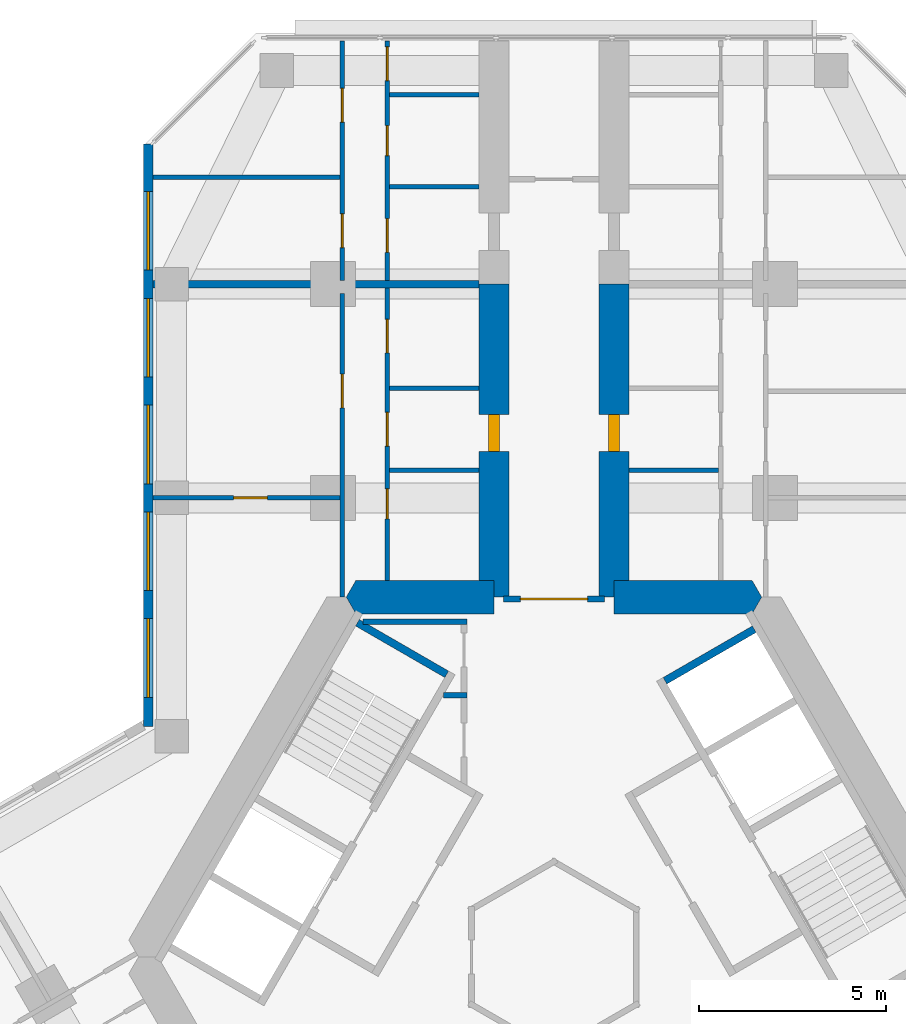
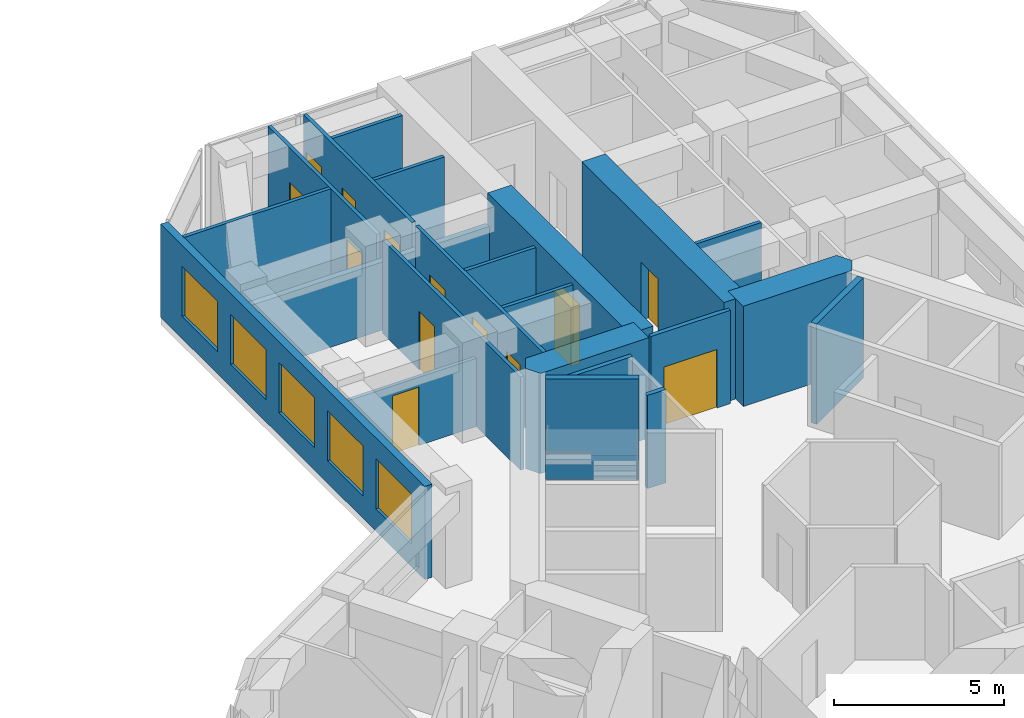
# One storey, part 17 of 20: 22 walls, 13 doors, 5 windows, 18 openings.
"""IFC4 building model written with IfcOpenShell, lengths in metres."""

from ifc_helpers import new_model, si_unit, direction, frame, frame_2d, origin, place, context, subcontext, project, spatial, polyline, rectangle, outline, extrude, material, layer, layer_set, type_object, element, fill, save


model = new_model("IFC4")

# Units and contexts
model_context = context("Model", 3, precision=1e-05, world=origin(), true_north=direction((0.0, 1.0)))
body_context = subcontext(model_context, "Body", "Model", "MODEL_VIEW")
ifc_project = project(units=[si_unit("LENGTHUNIT", "METRE"), si_unit("AREAUNIT", "SQUARE_METRE"), si_unit("VOLUMEUNIT", "CUBIC_METRE"), si_unit("PLANEANGLEUNIT", "RADIAN"), si_unit("MASSUNIT", "GRAM", prefix="KILO")], contexts=[model_context])

# Site, building, storey
site_placement = place(None, origin())
site = spatial("IfcSite", under=ifc_project, at=site_placement, CompositionType="ELEMENT")
building_placement = place(site_placement, origin())
building = spatial("IfcBuilding", under=site, at=building_placement, Name="Kosmar Iwan School Tower", CompositionType="ELEMENT")
storey_placement = place(building_placement, frame((0.0, 0.0, 179.60009765625)))
storey = spatial("IfcBuildingStorey", under=building, at=storey_placement, Name="L45", CompositionType="ELEMENT", Elevation=179.60009765625)

# Walls
ifc_material_1 = material(Name="Gypsum board on steel studs, fire-rated", Category="steel")
ifc_layer_1 = layer(ifc_material_1, 0.14990234375)
ifc_layer_set_1 = layer_set([ifc_layer_1], Name="Core room partition 150")
wall_type_1 = type_object("IfcWallType", Name="Core room partition 150", PredefinedType="PARTITIONING", material=ifc_layer_set_1)
wall_1_placement = place(storey_placement, frame((-2.324951171875, 6.985107421875, 0.0), z_axis=(0.0, 0.0, 1.0), x_axis=(-1.0, 0.0, 0.0)))
element("IfcWall", 1, at=wall_1_placement, inside=storey, type_object=wall_type_1, Name="Core room partition L45-CW2", PredefinedType="PARTITIONING", context=body_context, shape_type="SweptSolid", body=[
    extrude(rectangle(XDim=0.623779296875, YDim=0.14990234375, at=frame_2d((0.31201171875, 0.0))), origin(), (0.0, 0.0, 1.0), 3.349853515625),
])
wall_2_placement = place(storey_placement, frame((-5.089599609375, 8.93994140625, 0.0), z_axis=(0.0, 0.0, 1.0), x_axis=(1.0, 0.0, 0.0)))
element("IfcWall", 2, at=wall_2_placement, inside=storey, type_object=wall_type_1, Name="Core room partition L45-CW3", PredefinedType="PARTITIONING", context=body_context, shape_type="SweptSolid", body=[
    extrude(rectangle(XDim=2.7646484375, YDim=0.14990234375, at=frame_2d((1.38232421875, 0.0))), origin(), (0.0, 0.0, 1.0), 3.349853515625),
])
ifc_material_2 = material(Name="Concrete C50/60", Category="concrete")
ifc_layer_2 = layer(ifc_material_2, 0.89990234375)
ifc_layer_set_2 = layer_set([ifc_layer_2], Name="Core wall 900")
wall_type_2 = type_object("IfcWallType", Name="Core wall 900", PredefinedType="SHEAR", material=ifc_layer_set_2)
wall_3_placement = place(storey_placement, origin())
element("IfcWall", 3, at=wall_3_placement, inside=storey, type_object=wall_type_2, Name="Core wall F090a", PredefinedType="SHEAR", context=body_context, shape_type="SweptSolid", body=[
    extrude(outline(polyline([(1.60009765625, 9.14990234375), (5.28271484375, 9.14990234375), (5.54248046875, 9.60009765625), (5.28271484375, 10.050048828125), (1.60009765625, 10.050048828125), (1.60009765625, 9.14990234375)])), origin(), (0.0, 0.0, 1.0), 3.599853515625),
])
wall_4_placement = place(storey_placement, origin())
element("IfcWall", 4, at=wall_4_placement, inside=storey, type_object=wall_type_2, Name="Core wall F090b", PredefinedType="SHEAR", context=body_context, shape_type="SweptSolid", body=[
    extrude(outline(polyline([(-5.28271484375, 9.14990234375), (-1.60009765625, 9.14990234375), (-1.60009765625, 10.050048828125), (-5.28271484375, 10.050048828125), (-5.54248046875, 9.60009765625), (-5.28271484375, 9.14990234375)])), origin(), (0.0, 0.0, 1.0), 3.599853515625),
])

# Wall, opening, door
ifc_material_3 = material(Name="Concrete C50/60", Category="concrete")
ifc_layer_3 = layer(ifc_material_3, 0.800048828125)
ifc_layer_set_3 = layer_set([ifc_layer_3], Name="Corridor buttress wall 800")
wall_type_3 = type_object("IfcWallType", Name="Corridor buttress wall 800", PredefinedType="SHEAR", material=ifc_layer_set_3)
wall_5_placement = place(storey_placement, frame((-1.60009765625, 9.60009765625, 0.0), z_axis=(0.0, 0.0, 1.0), x_axis=(0.0, 1.0, 0.0)))
wall_5 = element("IfcWall", 5, at=wall_5_placement, inside=storey, type_object=wall_type_3, Name="Corridor wall AL", PredefinedType="SHEAR", context=body_context, shape_type="SweptSolid", body=[
    extrude(rectangle(XDim=8.349853515625, YDim=0.800048828125, at=frame_2d((4.1748046875, 0.0))), origin(), (0.0, 0.0, 1.0), 3.599853515625),
])
opening_1_placement = place(wall_5_placement, frame((3.8798828125, 0.0, 0.0)))
opening_1 = element("IfcOpeningElement", 6, at=opening_1_placement, cuts=wall_5, Name="Opening D1", PredefinedType="OPENING", context=body_context, shape_type="SweptSolid", body=[
    extrude(rectangle(XDim=1.0, YDim=2.10009765625, at=frame_2d((0.5, 1.050048828125))), frame((0.0, 0.412109375, 0.0), z_axis=(0.0, -1.0, 0.0), x_axis=(1.0, 0.0, 0.0)), (0.0, 0.0, 1.0), 0.823974609375),
])
ifc_material_4 = material(Name="Timber fire door in steel frame", Category="steel")
door_type_1 = type_object("IfcDoorType", Name="Flat entrance door 1000x2100", OperationType="SINGLE_SWING_LEFT", PredefinedType="DOOR", material=ifc_material_4)
door_1_placement = place(opening_1_placement, origin())
door_1 = element("IfcDoor", 7, at=door_1_placement, inside=storey, type_object=door_type_1, Name="Flat L45-AL1 entrance door", OperationType="SINGLE_SWING_LEFT", OverallHeight=2.10009765625, OverallWidth=1.0, PredefinedType="DOOR", context=body_context, shape_type="SweptSolid", body=[
    extrude(rectangle(XDim=1.0, YDim=2.10009765625, at=frame_2d((0.5, 1.050048828125))), frame((0.0, 0.14990234375, 0.0), z_axis=(0.0, -1.0, 0.0), x_axis=(1.0, 0.0, 0.0)), (0.0, 0.0, 1.0), 0.300048828125),
])
fill(opening_1, door_1)

wall_6_placement = place(storey_placement, frame((1.60009765625, 9.60009765625, 0.0), z_axis=(0.0, 0.0, 1.0), x_axis=(0.0, 1.0, 0.0)))
wall_6 = element("IfcWall", 8, at=wall_6_placement, inside=storey, type_object=wall_type_3, Name="Corridor wall AR", PredefinedType="SHEAR", context=body_context, shape_type="SweptSolid", body=[
    extrude(rectangle(XDim=8.349853515625, YDim=0.800048828125, at=frame_2d((4.1748046875, 0.0))), origin(), (0.0, 0.0, 1.0), 3.599853515625),
])
opening_2_placement = place(wall_6_placement, frame((3.8798828125, 0.0, 0.0)))
opening_2 = element("IfcOpeningElement", 9, at=opening_2_placement, cuts=wall_6, Name="Opening D1", PredefinedType="OPENING", context=body_context, shape_type="SweptSolid", body=[
    extrude(rectangle(XDim=1.0, YDim=2.10009765625, at=frame_2d((0.5, 1.050048828125))), frame((0.0, 0.412109375, 0.0), z_axis=(0.0, -1.0, 0.0), x_axis=(1.0, 0.0, 0.0)), (0.0, 0.0, 1.0), 0.823974609375),
])
door_2_placement = place(opening_2_placement, origin())
door_2 = element("IfcDoor", 10, at=door_2_placement, inside=storey, type_object=door_type_1, Name="Flat L45-AR1 entrance door", OperationType="SINGLE_SWING_RIGHT", OverallHeight=2.10009765625, OverallWidth=1.0, PredefinedType="DOOR", context=body_context, shape_type="SweptSolid", body=[
    extrude(rectangle(XDim=1.0, YDim=2.10009765625, at=frame_2d((0.5, 1.050048828125))), frame((0.0, 0.14990234375, 0.0), z_axis=(0.0, -1.0, 0.0), x_axis=(1.0, 0.0, 0.0)), (0.0, 0.0, 1.0), 0.300048828125),
])
fill(opening_2, door_2)

ifc_material_5 = material(Name="Steel framed glazed screen", Category="steel")
ifc_layer_4 = layer(ifc_material_5, 0.14990234375)
ifc_layer_set_4 = layer_set([ifc_layer_4], Name="Corridor screen wall 150")
wall_type_4 = type_object("IfcWallType", Name="Corridor screen wall 150", PredefinedType="PARTITIONING", material=ifc_layer_set_4)
wall_7_placement = place(storey_placement, frame((1.35009765625, 9.550048828125, 0.0), z_axis=(0.0, 0.0, 1.0), x_axis=(-1.0, 0.0, 0.0)))
wall_7 = element("IfcWall", 11, at=wall_7_placement, inside=storey, type_object=wall_type_4, Name="Corridor screen A L45", PredefinedType="PARTITIONING", context=body_context, shape_type="SweptSolid", body=[
    extrude(rectangle(XDim=2.7001953125, YDim=0.14990234375, at=frame_2d((1.35009765625, 0.0))), origin(), (0.0, 0.0, 1.0), 3.349853515625),
])
opening_3_placement = place(wall_7_placement, frame((0.449951171875, 0.0, 0.0)))
opening_3 = element("IfcOpeningElement", 12, at=opening_3_placement, cuts=wall_7, Name="Opening D9", PredefinedType="OPENING", context=body_context, shape_type="SweptSolid", body=[
    extrude(rectangle(XDim=1.800048828125, YDim=2.10009765625, at=frame_2d((0.89990234375, 1.050048828125))), frame((0.0, 0.0869140625, 0.0), z_axis=(0.0, -1.0, 0.0), x_axis=(1.0, 0.0, 0.0)), (0.0, 0.0, 1.0), 0.173828125),
])
ifc_material_6 = material(Name="Steel framed glazed smoke door", Category="steel")
door_type_2 = type_object("IfcDoorType", Name="Corridor smoke door pair 1800x2100", OperationType="DOUBLE_DOOR_DOUBLE_SWING", PredefinedType="DOOR", material=ifc_material_6)
door_3_placement = place(opening_3_placement, origin())
door_3 = element("IfcDoor", 13, at=door_3_placement, inside=storey, type_object=door_type_2, Name="Corridor doors A L45", OperationType="DOUBLE_DOOR_DOUBLE_SWING", OverallHeight=2.10009765625, OverallWidth=1.800048828125, PredefinedType="DOOR", context=body_context, shape_type="SweptSolid", body=[
    extrude(rectangle(XDim=1.800048828125, YDim=2.10009765625, at=frame_2d((0.89990234375, 1.050048828125))), frame((0.0, 0.02490234375, 0.0), z_axis=(0.0, -1.0, 0.0), x_axis=(1.0, 0.0, 0.0)), (0.0, 0.0, 1.0), 0.050048828125),
])
fill(opening_3, door_3)

# Wall, openings, doors
ifc_material_7 = material(Name="Gypsum board on steel studs", Category="steel")
ifc_layer_5 = layer(ifc_material_7, 0.1201171875)
ifc_layer_set_5 = layer_set([ifc_layer_5], Name="Dwelling partition 120")
wall_type_5 = type_object("IfcWallType", Name="Dwelling partition 120", PredefinedType="PARTITIONING", material=ifc_layer_set_5)
wall_8_placement = place(storey_placement, frame((-4.449951171875, 10.050048828125, 0.0), z_axis=(0.0, 0.0, 1.0), x_axis=(0.0, 1.0, 0.0)))
wall_8 = element("IfcWall", 14, at=wall_8_placement, inside=storey, type_object=wall_type_5, Name="Partition L45-AL1-W1", PredefinedType="PARTITIONING", context=body_context, shape_type="SweptSolid", body=[
    extrude(rectangle(XDim=7.800048828125, YDim=0.1201171875, at=frame_2d((3.89990234375, 0.0))), origin(), (0.0, 0.0, 1.0), 3.349853515625),
])
opening_4_placement = place(wall_8_placement, frame((1.639892578125, 0.0, 0.0)))
opening_4 = element("IfcOpeningElement", 15, at=opening_4_placement, cuts=wall_8, Name="Opening D3", PredefinedType="OPENING", context=body_context, shape_type="SweptSolid", body=[
    extrude(rectangle(XDim=0.800048828125, YDim=2.10009765625, at=frame_2d((0.39990234375, 1.050048828125))), frame((0.0, 0.072021484375, 0.0), z_axis=(0.0, -1.0, 0.0), x_axis=(1.0, 0.0, 0.0)), (0.0, 0.0, 1.0), 0.14404296875),
])
opening_5_placement = place(wall_8_placement, frame((3.580078125, 0.0, 0.0)))
opening_5 = element("IfcOpeningElement", 16, at=opening_5_placement, cuts=wall_8, Name="Opening D2", PredefinedType="OPENING", context=body_context, shape_type="SweptSolid", body=[
    extrude(rectangle(XDim=0.89990234375, YDim=2.10009765625, at=frame_2d((0.449951171875, 1.050048828125))), frame((0.0, 0.072021484375, 0.0), z_axis=(0.0, -1.0, 0.0), x_axis=(1.0, 0.0, 0.0)), (0.0, 0.0, 1.0), 0.14404296875),
])
opening_6_placement = place(wall_8_placement, frame((6.06494140625, 0.0, 0.0)))
opening_6 = element("IfcOpeningElement", 17, at=opening_6_placement, cuts=wall_8, Name="Opening D2", PredefinedType="OPENING", context=body_context, shape_type="SweptSolid", body=[
    extrude(rectangle(XDim=0.89990234375, YDim=2.10009765625, at=frame_2d((0.449951171875, 1.050048828125))), frame((0.0, 0.072021484375, 0.0), z_axis=(0.0, -1.0, 0.0), x_axis=(1.0, 0.0, 0.0)), (0.0, 0.0, 1.0), 0.14404296875),
])
ifc_material_8 = material(Name="Timber door in timber frame", Category="wood")
door_type_3 = type_object("IfcDoorType", Name="Internal door 900x2100", OperationType="SINGLE_SWING_LEFT", PredefinedType="DOOR", material=ifc_material_8)
door_4_placement = place(opening_5_placement, origin())
door_4 = element("IfcDoor", 18, at=door_4_placement, inside=storey, type_object=door_type_3, Name="Entrance hall door L45-AL1-S2", OperationType="SINGLE_SWING_RIGHT", OverallHeight=2.10009765625, OverallWidth=0.89990234375, PredefinedType="DOOR", context=body_context, shape_type="SweptSolid", body=[
    extrude(rectangle(XDim=0.89990234375, YDim=2.10009765625, at=frame_2d((0.449951171875, 1.050048828125))), frame((0.0, 0.02490234375, 0.0), z_axis=(0.0, -1.0, 0.0), x_axis=(1.0, 0.0, 0.0)), (0.0, 0.0, 1.0), 0.050048828125),
])
fill(opening_5, door_4)
door_5_placement = place(opening_6_placement, origin())
door_5 = element("IfcDoor", 19, at=door_5_placement, inside=storey, type_object=door_type_3, Name="Pantry door L45-AL1-S3", OperationType="SINGLE_SWING_RIGHT", OverallHeight=2.10009765625, OverallWidth=0.89990234375, PredefinedType="DOOR", context=body_context, shape_type="SweptSolid", body=[
    extrude(rectangle(XDim=0.89990234375, YDim=2.10009765625, at=frame_2d((0.449951171875, 1.050048828125))), frame((0.0, 0.02490234375, 0.0), z_axis=(0.0, -1.0, 0.0), x_axis=(1.0, 0.0, 0.0)), (0.0, 0.0, 1.0), 0.050048828125),
])
fill(opening_6, door_5)
ifc_material_9 = material(Name="Timber door in timber frame", Category="wood")
door_type_4 = type_object("IfcDoorType", Name="Sanitary room door 800x2100", OperationType="SINGLE_SWING_LEFT", PredefinedType="DOOR", material=ifc_material_9)
door_6_placement = place(opening_4_placement, origin())
door_6 = element("IfcDoor", 20, at=door_6_placement, inside=storey, type_object=door_type_4, Name="Bathroom door L45-AL1-S1", OperationType="SINGLE_SWING_LEFT", OverallHeight=2.10009765625, OverallWidth=0.800048828125, PredefinedType="DOOR", context=body_context, shape_type="SweptSolid", body=[
    extrude(rectangle(XDim=0.800048828125, YDim=2.10009765625, at=frame_2d((0.39990234375, 1.050048828125))), frame((0.0, 0.02490234375, 0.0), z_axis=(0.0, -1.0, 0.0), x_axis=(1.0, 0.0, 0.0)), (0.0, 0.0, 1.0), 0.050048828125),
])
fill(opening_4, door_6)

# Wall, opening, door
wall_9_placement = place(storey_placement, frame((-5.64990234375, 9.60009765625, 0.0), z_axis=(0.0, 0.0, 1.0), x_axis=(0.0, 1.0, 0.0)))
wall_9 = element("IfcWall", 21, at=wall_9_placement, inside=storey, type_object=wall_type_5, Name="Partition L45-AL1-W2", PredefinedType="PARTITIONING", context=body_context, shape_type="SweptSolid", body=[
    extrude(rectangle(XDim=8.099853515625, YDim=0.1201171875, at=frame_2d((4.0498046875, 0.0))), origin(), (0.0, 0.0, 1.0), 3.349853515625),
])
opening_7_placement = place(wall_9_placement, frame((5.050048828125, 0.0, 0.0)))
opening_7 = element("IfcOpeningElement", 22, at=opening_7_placement, cuts=wall_9, Name="Opening D2", PredefinedType="OPENING", context=body_context, shape_type="SweptSolid", body=[
    extrude(rectangle(XDim=0.89990234375, YDim=2.10009765625, at=frame_2d((0.449951171875, 1.050048828125))), frame((0.0, 0.072021484375, 0.0), z_axis=(0.0, -1.0, 0.0), x_axis=(1.0, 0.0, 0.0)), (0.0, 0.0, 1.0), 0.14404296875),
])
door_7_placement = place(opening_7_placement, origin())
door_7 = element("IfcDoor", 23, at=door_7_placement, inside=storey, type_object=door_type_3, Name="Studio living room door L45-AL1-F2", OperationType="SINGLE_SWING_RIGHT", OverallHeight=2.10009765625, OverallWidth=0.89990234375, PredefinedType="DOOR", context=body_context, shape_type="SweptSolid", body=[
    extrude(rectangle(XDim=0.89990234375, YDim=2.10009765625, at=frame_2d((0.449951171875, 1.050048828125))), frame((0.0, 0.02490234375, 0.0), z_axis=(0.0, -1.0, 0.0), x_axis=(1.0, 0.0, 0.0)), (0.0, 0.0, 1.0), 0.050048828125),
])
fill(opening_7, door_7)

wall_10_placement = place(storey_placement, frame((-5.7099609375, 12.25, 0.0), z_axis=(0.0, 0.0, 1.0), x_axis=(-1.0, 0.0, 0.0)))
wall_10 = element("IfcWall", 24, at=wall_10_placement, inside=storey, type_object=wall_type_5, Name="Partition L45-AL1-X1", PredefinedType="PARTITIONING", context=body_context, shape_type="SweptSolid", body=[
    extrude(rectangle(XDim=4.989990234375, YDim=0.1201171875, at=frame_2d((2.4951171875, 0.0))), origin(), (0.0, 0.0, 1.0), 2.449951171875),
])
opening_8_placement = place(wall_10_placement, frame((1.93994140625, 0.0, 0.0)))
opening_8 = element("IfcOpeningElement", 25, at=opening_8_placement, cuts=wall_10, Name="Opening D2", PredefinedType="OPENING", context=body_context, shape_type="SweptSolid", body=[
    extrude(rectangle(XDim=0.89990234375, YDim=2.10009765625, at=frame_2d((0.449951171875, 1.050048828125))), frame((0.0, 0.072021484375, 0.0), z_axis=(0.0, -1.0, 0.0), x_axis=(1.0, 0.0, 0.0)), (0.0, 0.0, 1.0), 0.14404296875),
])
door_8_placement = place(opening_8_placement, origin())
door_8 = element("IfcDoor", 26, at=door_8_placement, inside=storey, type_object=door_type_3, Name="Kitchen and dining room door L45-AL1-F1", OperationType="SINGLE_SWING_LEFT", OverallHeight=2.10009765625, OverallWidth=0.89990234375, PredefinedType="DOOR", context=body_context, shape_type="SweptSolid", body=[
    extrude(rectangle(XDim=0.89990234375, YDim=2.10009765625, at=frame_2d((0.449951171875, 1.050048828125))), frame((0.0, 0.02490234375, 0.0), z_axis=(0.0, -1.0, 0.0), x_axis=(1.0, 0.0, 0.0)), (0.0, 0.0, 1.0), 0.050048828125),
])
fill(opening_8, door_8)

# Walls
for number, where, z_axis, x_axis, name in (
    (27, (-2.0, 12.97998046875, 0.0), (0.0, 0.0, 1.0), (-1.0, 0.0, 0.0), "Partition L45-AL1-Y1"),
    (28, (-2.0, 15.179931640625, 0.0), (0.0, 0.0, 1.0), (-1.0, 0.0, 0.0), "Partition L45-AL1-Y2"),
):
    element("IfcWall", number, at=place(storey_placement, frame(where, z_axis=z_axis, x_axis=x_axis)), inside=storey, type_object=wall_type_5, Name=name, PredefinedType="PARTITIONING", context=body_context, shape_type="SweptSolid", body=[
        extrude(rectangle(XDim=2.389892578125, YDim=0.1201171875, at=frame_2d((1.19482421875, 0.0))), origin(), (0.0, 0.0, 1.0), 3.349853515625),
    ])

# Wall, openings, doors
wall_11_placement = place(storey_placement, frame((-4.449951171875, 18.050048828125, 0.0), z_axis=(0.0, 0.0, 1.0), x_axis=(0.0, 1.0, 0.0)))
wall_11 = element("IfcWall", 29, at=wall_11_placement, inside=storey, type_object=wall_type_5, Name="Partition L45-AL2-W1", PredefinedType="PARTITIONING", context=body_context, shape_type="SweptSolid", body=[
    extrude(rectangle(XDim=6.39501953125, YDim=0.1201171875, at=frame_2d((3.197509765625, 0.0))), origin(), (0.0, 0.0, 1.0), 3.349853515625),
])
opening_9_placement = place(wall_11_placement, frame((0.75, 0.0, 0.0)))
opening_9 = element("IfcOpeningElement", 30, at=opening_9_placement, cuts=wall_11, Name="Opening D2", PredefinedType="OPENING", context=body_context, shape_type="SweptSolid", body=[
    extrude(rectangle(XDim=0.89990234375, YDim=2.10009765625, at=frame_2d((0.449951171875, 1.050048828125))), frame((0.0, 0.072021484375, 0.0), z_axis=(0.0, -1.0, 0.0), x_axis=(1.0, 0.0, 0.0)), (0.0, 0.0, 1.0), 0.14404296875),
])
opening_10_placement = place(wall_11_placement, frame((3.330078125, 0.0, 0.0)))
opening_10 = element("IfcOpeningElement", 31, at=opening_10_placement, cuts=wall_11, Name="Opening D3", PredefinedType="OPENING", context=body_context, shape_type="SweptSolid", body=[
    extrude(rectangle(XDim=0.800048828125, YDim=2.10009765625, at=frame_2d((0.39990234375, 1.050048828125))), frame((0.0, 0.072021484375, 0.0), z_axis=(0.0, -1.0, 0.0), x_axis=(1.0, 0.0, 0.0)), (0.0, 0.0, 1.0), 0.14404296875),
])
opening_11_placement = place(wall_11_placement, frame((5.330078125, 0.0, 0.0)))
opening_11 = element("IfcOpeningElement", 32, at=opening_11_placement, cuts=wall_11, Name="Opening D2", PredefinedType="OPENING", context=body_context, shape_type="SweptSolid", body=[
    extrude(rectangle(XDim=0.89990234375, YDim=2.10009765625, at=frame_2d((0.449951171875, 1.050048828125))), frame((0.0, 0.072021484375, 0.0), z_axis=(0.0, -1.0, 0.0), x_axis=(1.0, 0.0, 0.0)), (0.0, 0.0, 1.0), 0.14404296875),
])
door_9_placement = place(opening_9_placement, origin())
door_9 = element("IfcDoor", 33, at=door_9_placement, inside=storey, type_object=door_type_3, Name="Entrance hall door L45-AL2-S1", OperationType="SINGLE_SWING_LEFT", OverallHeight=2.10009765625, OverallWidth=0.89990234375, PredefinedType="DOOR", context=body_context, shape_type="SweptSolid", body=[
    extrude(rectangle(XDim=0.89990234375, YDim=2.10009765625, at=frame_2d((0.449951171875, 1.050048828125))), frame((0.0, 0.02490234375, 0.0), z_axis=(0.0, -1.0, 0.0), x_axis=(1.0, 0.0, 0.0)), (0.0, 0.0, 1.0), 0.050048828125),
])
fill(opening_9, door_9)
door_10_placement = place(opening_11_placement, origin())
door_10 = element("IfcDoor", 34, at=door_10_placement, inside=storey, type_object=door_type_3, Name="Pantry door L45-AL2-S3", OperationType="SINGLE_SWING_RIGHT", OverallHeight=2.10009765625, OverallWidth=0.89990234375, PredefinedType="DOOR", context=body_context, shape_type="SweptSolid", body=[
    extrude(rectangle(XDim=0.89990234375, YDim=2.10009765625, at=frame_2d((0.449951171875, 1.050048828125))), frame((0.0, 0.02490234375, 0.0), z_axis=(0.0, -1.0, 0.0), x_axis=(1.0, 0.0, 0.0)), (0.0, 0.0, 1.0), 0.050048828125),
])
fill(opening_11, door_10)
door_11_placement = place(opening_10_placement, origin())
door_11 = element("IfcDoor", 35, at=door_11_placement, inside=storey, type_object=door_type_4, Name="Bathroom door L45-AL2-S2", OperationType="SINGLE_SWING_RIGHT", OverallHeight=2.10009765625, OverallWidth=0.800048828125, PredefinedType="DOOR", context=body_context, shape_type="SweptSolid", body=[
    extrude(rectangle(XDim=0.800048828125, YDim=2.10009765625, at=frame_2d((0.39990234375, 1.050048828125))), frame((0.0, 0.02490234375, 0.0), z_axis=(0.0, -1.0, 0.0), x_axis=(1.0, 0.0, 0.0)), (0.0, 0.0, 1.0), 0.050048828125),
])
fill(opening_10, door_11)

wall_12_placement = place(storey_placement, frame((-5.64990234375, 18.050048828125, 0.0), z_axis=(0.0, 0.0, 1.0), x_axis=(0.0, 1.0, 0.0)))
wall_12 = element("IfcWall", 36, at=wall_12_placement, inside=storey, type_object=wall_type_5, Name="Partition L45-AL2-W2", PredefinedType="PARTITIONING", context=body_context, shape_type="SweptSolid", body=[
    extrude(rectangle(XDim=6.39501953125, YDim=0.1201171875, at=frame_2d((3.197509765625, 0.0))), origin(), (0.0, 0.0, 1.0), 3.349853515625),
])
opening_12_placement = place(wall_12_placement, frame((0.875, 0.0, 0.0)))
opening_12 = element("IfcOpeningElement", 37, at=opening_12_placement, cuts=wall_12, Name="Opening D2", PredefinedType="OPENING", context=body_context, shape_type="SweptSolid", body=[
    extrude(rectangle(XDim=0.89990234375, YDim=2.10009765625, at=frame_2d((0.449951171875, 1.050048828125))), frame((0.0, 0.072021484375, 0.0), z_axis=(0.0, -1.0, 0.0), x_axis=(1.0, 0.0, 0.0)), (0.0, 0.0, 1.0), 0.14404296875),
])
opening_13_placement = place(wall_12_placement, frame((4.22509765625, 0.0, 0.0)))
opening_13 = element("IfcOpeningElement", 38, at=opening_13_placement, cuts=wall_12, Name="Opening D2", PredefinedType="OPENING", context=body_context, shape_type="SweptSolid", body=[
    extrude(rectangle(XDim=0.89990234375, YDim=2.10009765625, at=frame_2d((0.449951171875, 1.050048828125))), frame((0.0, 0.072021484375, 0.0), z_axis=(0.0, -1.0, 0.0), x_axis=(1.0, 0.0, 0.0)), (0.0, 0.0, 1.0), 0.14404296875),
])
door_12_placement = place(opening_12_placement, origin())
door_12 = element("IfcDoor", 39, at=door_12_placement, inside=storey, type_object=door_type_3, Name="Family room and kitchen door L45-AL2-F1", OperationType="SINGLE_SWING_LEFT", OverallHeight=2.10009765625, OverallWidth=0.89990234375, PredefinedType="DOOR", context=body_context, shape_type="SweptSolid", body=[
    extrude(rectangle(XDim=0.89990234375, YDim=2.10009765625, at=frame_2d((0.449951171875, 1.050048828125))), frame((0.0, 0.02490234375, 0.0), z_axis=(0.0, -1.0, 0.0), x_axis=(1.0, 0.0, 0.0)), (0.0, 0.0, 1.0), 0.050048828125),
])
fill(opening_12, door_12)
door_13_placement = place(opening_13_placement, origin())
door_13 = element("IfcDoor", 40, at=door_13_placement, inside=storey, type_object=door_type_3, Name="Bedroom 1 door L45-AL2-F2", OperationType="SINGLE_SWING_RIGHT", OverallHeight=2.10009765625, OverallWidth=0.89990234375, PredefinedType="DOOR", context=body_context, shape_type="SweptSolid", body=[
    extrude(rectangle(XDim=0.89990234375, YDim=2.10009765625, at=frame_2d((0.449951171875, 1.050048828125))), frame((0.0, 0.02490234375, 0.0), z_axis=(0.0, -1.0, 0.0), x_axis=(1.0, 0.0, 0.0)), (0.0, 0.0, 1.0), 0.050048828125),
])
fill(opening_13, door_13)

# Walls
wall_13_placement = place(storey_placement, frame((-5.7099609375, 20.800048828125, 0.0), z_axis=(0.0, 0.0, 1.0), x_axis=(-1.0, 0.0, 0.0)))
element("IfcWall", 41, at=wall_13_placement, inside=storey, type_object=wall_type_5, Name="Partition L45-AL2-X1", PredefinedType="PARTITIONING", context=body_context, shape_type="SweptSolid", body=[
    extrude(rectangle(XDim=4.989990234375, YDim=0.1201171875, at=frame_2d((2.4951171875, 0.0))), origin(), (0.0, 0.0, 1.0), 3.349853515625),
])
for number, where, z_axis, x_axis, name in (
    (42, (-2.0, 20.550048828125, 0.0), (0.0, 0.0, 1.0), (-1.0, 0.0, 0.0), "Partition L45-AL2-Y1"),
    (43, (-2.0, 23.010009765625, 0.0), (0.0, 0.0, 1.0), (-1.0, 0.0, 0.0), "Partition L45-AL2-Y2"),
    (44, (2.0, 12.97998046875, 0.0), (0.0, 0.0, 1.0), (1.0, 0.0, 0.0), "Partition L45-AR1-Y1"),
):
    element("IfcWall", number, at=place(storey_placement, frame(where, z_axis=z_axis, x_axis=x_axis)), inside=storey, type_object=wall_type_5, Name=name, PredefinedType="PARTITIONING", context=body_context, shape_type="SweptSolid", body=[
        extrude(rectangle(XDim=2.389892578125, YDim=0.1201171875, at=frame_2d((1.19482421875, 0.0))), origin(), (0.0, 0.0, 1.0), 3.349853515625),
    ])

# Wall, openings, windows
ifc_material_10 = material(Name="Black aluminium rainscreen on insulated framing", Category="aluminium")
ifc_layer_6 = layer(ifc_material_10, 0.25)
ifc_layer_set_6 = layer_set([ifc_layer_6], Name="External wall rainscreen 250")
wall_type_6 = type_object("IfcWallType", Name="External wall rainscreen 250", PredefinedType="SOLIDWALL", material=ifc_layer_set_6)
wall_14_placement = place(storey_placement, frame((-10.824951171875, 6.14794921875, 0.0), z_axis=(0.0, 0.0, 1.0), x_axis=(0.0, 1.0, 0.0)))
wall_14 = element("IfcWall", 45, at=wall_14_placement, inside=storey, type_object=wall_type_6, Name="External wall AL L45", PredefinedType="SOLIDWALL", context=body_context, shape_type="SweptSolid", body=[
    extrude(rectangle(XDim=15.537353515625, YDim=0.25, at=frame_2d((7.7685546875, 0.0))), origin(), (0.0, 0.0, 1.0), 3.349853515625),
])
opening_14_placement = place(wall_14_placement, frame((0.777099609375, 0.0, 0.800048828125)))
opening_14 = element("IfcOpeningElement", 46, at=opening_14_placement, cuts=wall_14, Name="Opening W4", PredefinedType="OPENING", context=body_context, shape_type="SweptSolid", body=[
    extrude(rectangle(XDim=2.10009765625, YDim=1.800048828125, at=frame_2d((1.050048828125, 0.89990234375))), frame((0.0, 0.136962890625, 0.0), z_axis=(0.0, -1.0, 0.0), x_axis=(1.0, 0.0, 0.0)), (0.0, 0.0, 1.0), 0.27392578125),
])
opening_15_placement = place(wall_14_placement, frame((3.626953125, 0.0, 0.800048828125)))
opening_15 = element("IfcOpeningElement", 47, at=opening_15_placement, cuts=wall_14, Name="Opening W4", PredefinedType="OPENING", context=body_context, shape_type="SweptSolid", body=[
    extrude(rectangle(XDim=2.10009765625, YDim=1.800048828125, at=frame_2d((1.050048828125, 0.89990234375))), frame((0.0, 0.136962890625, 0.0), z_axis=(0.0, -1.0, 0.0), x_axis=(1.0, 0.0, 0.0)), (0.0, 0.0, 1.0), 0.27392578125),
])
opening_16_placement = place(wall_14_placement, frame((6.47705078125, 0.0, 0.800048828125)))
opening_16 = element("IfcOpeningElement", 48, at=opening_16_placement, cuts=wall_14, Name="Opening W4", PredefinedType="OPENING", context=body_context, shape_type="SweptSolid", body=[
    extrude(rectangle(XDim=2.10009765625, YDim=1.800048828125, at=frame_2d((1.050048828125, 0.89990234375))), frame((0.0, 0.136962890625, 0.0), z_axis=(0.0, -1.0, 0.0), x_axis=(1.0, 0.0, 0.0)), (0.0, 0.0, 1.0), 0.27392578125),
])
opening_17_placement = place(wall_14_placement, frame((9.326904296875, 0.0, 0.800048828125)))
opening_17 = element("IfcOpeningElement", 49, at=opening_17_placement, cuts=wall_14, Name="Opening W4", PredefinedType="OPENING", context=body_context, shape_type="SweptSolid", body=[
    extrude(rectangle(XDim=2.10009765625, YDim=1.800048828125, at=frame_2d((1.050048828125, 0.89990234375))), frame((0.0, 0.136962890625, 0.0), z_axis=(0.0, -1.0, 0.0), x_axis=(1.0, 0.0, 0.0)), (0.0, 0.0, 1.0), 0.27392578125),
])
opening_18_placement = place(wall_14_placement, frame((12.177001953125, 0.0, 0.800048828125)))
opening_18 = element("IfcOpeningElement", 50, at=opening_18_placement, cuts=wall_14, Name="Opening W4", PredefinedType="OPENING", context=body_context, shape_type="SweptSolid", body=[
    extrude(rectangle(XDim=2.10009765625, YDim=1.800048828125, at=frame_2d((1.050048828125, 0.89990234375))), frame((0.0, 0.136962890625, 0.0), z_axis=(0.0, -1.0, 0.0), x_axis=(1.0, 0.0, 0.0)), (0.0, 0.0, 1.0), 0.27392578125),
])
ifc_material_11 = material(Name="Black aluminium frame with dark triple glazing", Category="aluminium")
window_type = type_object("IfcWindowType", Name="Window 2100x1800", PartitioningType="SINGLE_PANEL", PredefinedType="WINDOW", material=ifc_material_11)
window_1_placement = place(opening_14_placement, origin())
window_1 = element("IfcWindow", 51, at=window_1_placement, inside=storey, type_object=window_type, Name="Window AL L45 -1", OverallHeight=1.800048828125, OverallWidth=2.10009765625, PartitioningType="SINGLE_PANEL", PredefinedType="WINDOW", context=body_context, shape_type="SweptSolid", body=[
    extrude(rectangle(XDim=2.10009765625, YDim=1.800048828125, at=frame_2d((1.050048828125, 0.89990234375))), frame((0.0, 0.030029296875, 0.0), z_axis=(0.0, -1.0, 0.0), x_axis=(1.0, 0.0, 0.0)), (0.0, 0.0, 1.0), 0.06005859375),
])
fill(opening_14, window_1)
window_2_placement = place(opening_15_placement, origin())
window_2 = element("IfcWindow", 52, at=window_2_placement, inside=storey, type_object=window_type, Name="Window AL L45 0", OverallHeight=1.800048828125, OverallWidth=2.10009765625, PartitioningType="SINGLE_PANEL", PredefinedType="WINDOW", context=body_context, shape_type="SweptSolid", body=[
    extrude(rectangle(XDim=2.10009765625, YDim=1.800048828125, at=frame_2d((1.050048828125, 0.89990234375))), frame((0.0, 0.030029296875, 0.0), z_axis=(0.0, -1.0, 0.0), x_axis=(1.0, 0.0, 0.0)), (0.0, 0.0, 1.0), 0.06005859375),
])
fill(opening_15, window_2)
window_3_placement = place(opening_16_placement, origin())
window_3 = element("IfcWindow", 53, at=window_3_placement, inside=storey, type_object=window_type, Name="Window AL L45 1", OverallHeight=1.800048828125, OverallWidth=2.10009765625, PartitioningType="SINGLE_PANEL", PredefinedType="WINDOW", context=body_context, shape_type="SweptSolid", body=[
    extrude(rectangle(XDim=2.10009765625, YDim=1.800048828125, at=frame_2d((1.050048828125, 0.89990234375))), frame((0.0, 0.030029296875, 0.0), z_axis=(0.0, -1.0, 0.0), x_axis=(1.0, 0.0, 0.0)), (0.0, 0.0, 1.0), 0.06005859375),
])
fill(opening_16, window_3)
window_4_placement = place(opening_17_placement, origin())
window_4 = element("IfcWindow", 54, at=window_4_placement, inside=storey, type_object=window_type, Name="Window AL L45 2", OverallHeight=1.800048828125, OverallWidth=2.10009765625, PartitioningType="SINGLE_PANEL", PredefinedType="WINDOW", context=body_context, shape_type="SweptSolid", body=[
    extrude(rectangle(XDim=2.10009765625, YDim=1.800048828125, at=frame_2d((1.050048828125, 0.89990234375))), frame((0.0, 0.030029296875, 0.0), z_axis=(0.0, -1.0, 0.0), x_axis=(1.0, 0.0, 0.0)), (0.0, 0.0, 1.0), 0.06005859375),
])
fill(opening_17, window_4)
window_5_placement = place(opening_18_placement, origin())
window_5 = element("IfcWindow", 55, at=window_5_placement, inside=storey, type_object=window_type, Name="Window AL L45 3", OverallHeight=1.800048828125, OverallWidth=2.10009765625, PartitioningType="SINGLE_PANEL", PredefinedType="WINDOW", context=body_context, shape_type="SweptSolid", body=[
    extrude(rectangle(XDim=2.10009765625, YDim=1.800048828125, at=frame_2d((1.050048828125, 0.89990234375))), frame((0.0, 0.030029296875, 0.0), z_axis=(0.0, -1.0, 0.0), x_axis=(1.0, 0.0, 0.0)), (0.0, 0.0, 1.0), 0.06005859375),
])
fill(opening_18, window_5)

# Walls
ifc_material_12 = material(Name="Concrete C50/60", Category="concrete")
ifc_layer_7 = layer(ifc_material_12, 0.199951171875)
ifc_layer_set_7 = layer_set([ifc_layer_7], Name="Lift shaft wall 200")
wall_type_7 = type_object("IfcWallType", Name="Lift shaft wall 200", PredefinedType="SHEAR", material=ifc_layer_set_7)
wall_15_placement = place(storey_placement, frame((2.962646484375, 7.368408203125, 0.0), z_axis=(0.0, 0.0, 1.0), x_axis=(0.866027397988, 0.499996545922, 0.0)))
element("IfcWall", 56, at=wall_15_placement, inside=storey, type_object=wall_type_7, Name="Lift shaft wall AC 2", PredefinedType="SHEAR", context=body_context, shape_type="SweptSolid", body=[
    extrude(rectangle(XDim=2.75, YDim=0.199951171875, at=frame_2d((1.375, 0.0))), origin(), (0.0, 0.0, 1.0), 3.599853515625),
])
ifc_material_13 = material(Name="Concrete block masonry", Category="masonry")
ifc_layer_8 = layer(ifc_material_13, 0.199951171875)
ifc_layer_set_8 = layer_set([ifc_layer_8], Name="Party wall 200")
wall_type_8 = type_object("IfcWallType", Name="Party wall 200", PredefinedType="PARTITIONING", material=ifc_layer_set_8)
wall_16_placement = place(storey_placement, frame((-2.0, 17.949951171875, 0.0), z_axis=(0.0, 0.0, 1.0), x_axis=(-1.0, 0.0, 0.0)))
element("IfcWall", 57, at=wall_16_placement, inside=storey, type_object=wall_type_8, Name="Partition L45-AL2-PW", PredefinedType="PARTITIONING", context=body_context, shape_type="SweptSolid", body=[
    extrude(rectangle(XDim=8.699951171875, YDim=0.199951171875, at=frame_2d((4.35009765625, 0.0))), origin(), (0.0, 0.0, 1.0), 2.449951171875),
])
ifc_material_14 = material(Name="Concrete C50/60", Category="concrete")
ifc_layer_9 = layer(ifc_material_14, 0.199951171875)
ifc_layer_set_9 = layer_set([ifc_layer_9], Name="Stair enclosure wall 200")
wall_type_9 = type_object("IfcWallType", Name="Stair enclosure wall 200", PredefinedType="SHEAR", material=ifc_layer_set_9)
wall_17_placement = place(storey_placement, frame((-2.862548828125, 7.541748046875, 0.0), z_axis=(0.0, 0.0, 1.0), x_axis=(-0.866027397988, 0.499996545922, 0.0)))
element("IfcWall", 58, at=wall_17_placement, inside=storey, type_object=wall_type_9, Name="Stair ST2 wall", PredefinedType="SHEAR", context=body_context, shape_type="SweptSolid", body=[
    extrude(rectangle(XDim=2.75, YDim=0.199951171875, at=frame_2d((1.375, 0.0))), origin(), (0.0, 0.0, 1.0), 3.599853515625),
])

save(model, "model.ifc")
